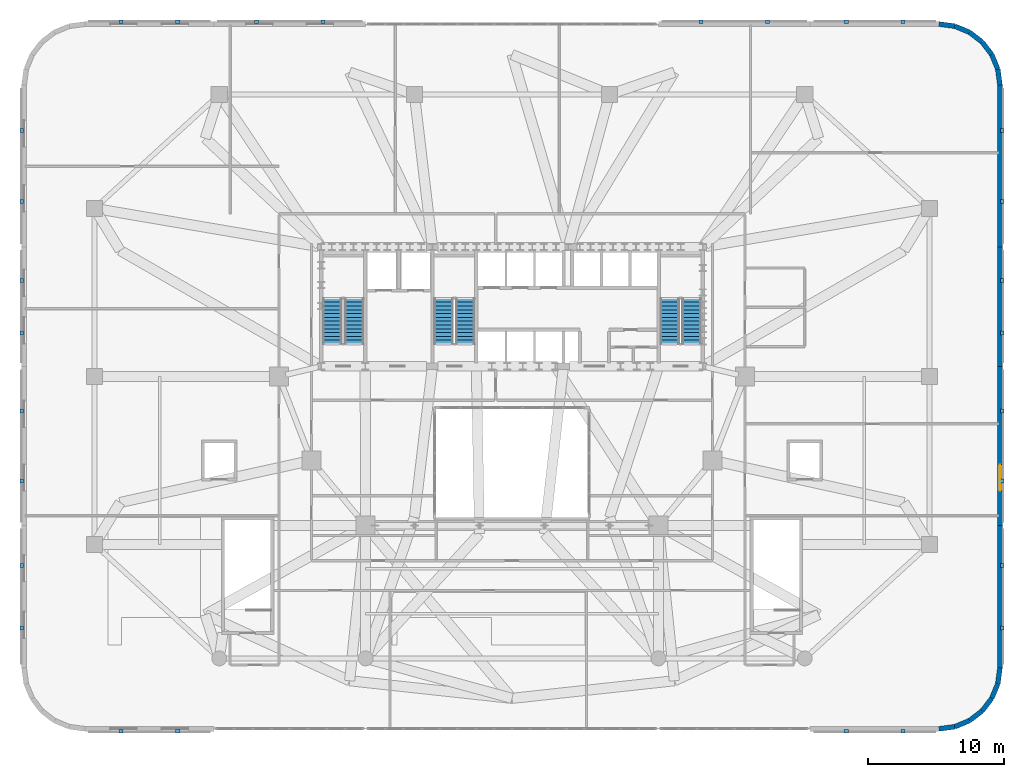
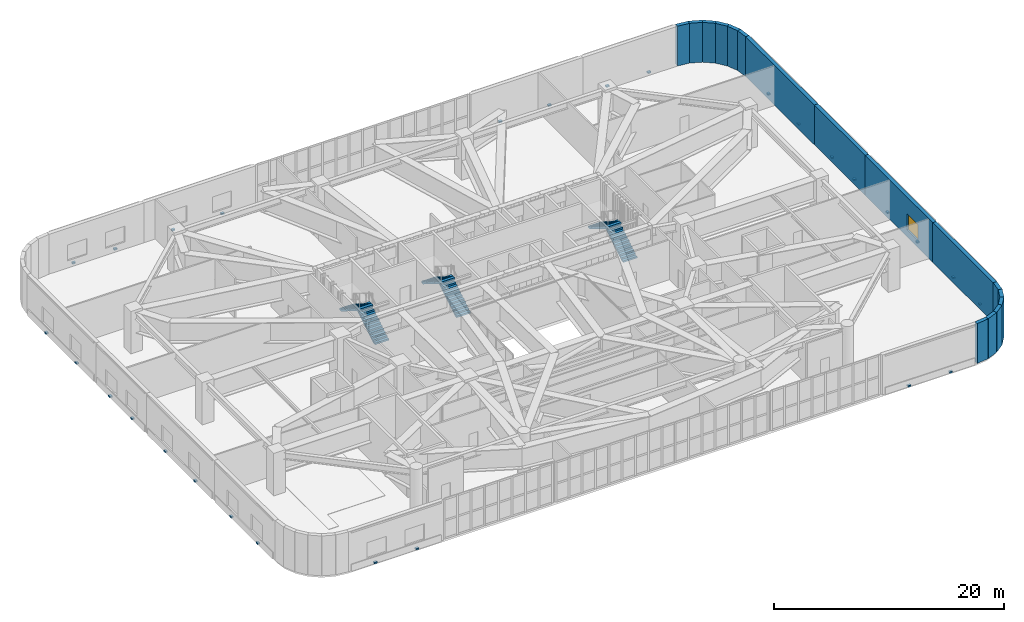
# One storey, part 19 of 26: 28 discrete accessories, 16 walls, 6 stair flights, 1 window, 1 opening, 3 elements without a shape of their own.
"""IFC4 building model written with IfcOpenShell, lengths in metres."""

import ifcopenshell
import ifcopenshell.guid

model = None  # the IFC model being written
_history = None  # IfcOwnerHistory: only IFC2X3 demands one
_inside = {}  # id of a spatial element -> (the spatial element, [elements in it])
_under = {}  # id of a project, library or spatial element -> (it, [spatial elements below it])
_declared = {}  # id of a project -> (the project, [libraries it declares])
_typed = {}  # id of a type object -> (the type object, [elements of that type])
_made_of = {}  # id of a material, layer set ... -> (it, [elements and type objects made of it])


def new_model(schema):
    """Start an empty IFC model of exactly this schema.

    Asked for "IFC4X3", IfcOpenShell would pick the latest addendum, in which some entities
    have other attributes; the version numbers below select the first issue.
    IFC2X3 requires an IfcOwnerHistory on every rooted entity: one is made here for all.
    """
    global model, _history
    if schema == "IFC4X3":
        model = ifcopenshell.file(schema_version=(4, 3, 0, 0))
    else:
        model = ifcopenshell.file(schema=schema)
    _inside.clear()
    _under.clear()
    _declared.clear()
    _typed.clear()
    _made_of.clear()
    _history = None
    if model.schema == "IFC2X3":
        org = make("IfcOrganization", Name="unknown")
        user = make(
            "IfcPersonAndOrganization",
            ThePerson=make("IfcPerson", FamilyName="unknown"),
            TheOrganization=org,
        )
        app = make(
            "IfcApplication",
            ApplicationDeveloper=org,
            Version="unknown",
            ApplicationFullName="unknown",
            ApplicationIdentifier="unknown",
        )
        _history = make(
            "IfcOwnerHistory",
            OwningUser=user,
            OwningApplication=app,
            ChangeAction="ADDED",
            CreationDate=0,
        )
    return model


def make(cls, **values):
    """One entity of the class cls with the attributes given. An attribute that is None is left unset."""
    return model.create_entity(
        cls, **{name: value for name, value in values.items() if value is not None}
    )


def rooted(cls, **values):
    """An entity with a GlobalId (a new one), such as an element, a storey or a relation."""
    return make(cls, GlobalId=ifcopenshell.guid.new(), OwnerHistory=_history, **values)


def si_unit(unit_type, name, prefix=None):
    """IfcSIUnit, for example si_unit("LENGTHUNIT", "METRE", prefix="MILLI")."""
    return make("IfcSIUnit", UnitType=unit_type, Prefix=prefix, Name=name)


def assignment(units):
    """IfcUnitAssignment: the units of a project."""
    return None if units is None else make("IfcUnitAssignment", Units=units)


def point(xyz):
    """IfcCartesianPoint."""
    return None if xyz is None else make("IfcCartesianPoint", Coordinates=xyz)


def direction(xyz):
    """IfcDirection."""
    return None if xyz is None else make("IfcDirection", DirectionRatios=xyz)


def frame(location, z_axis=None, x_axis=None):
    """IfcAxis2Placement3D, a coordinate frame: its origin and axes. An axis left out is left unset."""
    return make(
        "IfcAxis2Placement3D",
        Location=point(location),
        Axis=direction(z_axis),
        RefDirection=direction(x_axis),
    )


def frame_2d(location, x_axis=None):
    """IfcAxis2Placement2D, a coordinate frame in the plane: its origin and x axis."""
    return make(
        "IfcAxis2Placement2D", Location=point(location), RefDirection=direction(x_axis)
    )


def origin():
    """The frame at (0, 0, 0) with its axes left unset."""
    return frame((0.0, 0.0, 0.0))


def origin_2d():
    """The frame at (0, 0) in the plane with its x axis left unset."""
    return frame_2d((0.0, 0.0))


def place(relative_to, where):
    """IfcLocalPlacement: puts the frame where relative to a parent placement (None: the world)."""
    return make(
        "IfcLocalPlacement", PlacementRelTo=relative_to, RelativePlacement=where
    )


def context(
    kind, dimensions, precision=None, world=None, true_north=None, identifier=None
):
    """IfcGeometricRepresentationContext, for example the 3D "Model" context."""
    return make(
        "IfcGeometricRepresentationContext",
        ContextIdentifier=identifier,
        ContextType=kind,
        CoordinateSpaceDimension=dimensions,
        Precision=precision,
        WorldCoordinateSystem=world,
        TrueNorth=true_north,
    )


def subcontext(parent, identifier, kind, view, scale=None):
    """IfcGeometricRepresentationSubContext, for example "Body" below "Model"."""
    return make(
        "IfcGeometricRepresentationSubContext",
        ContextIdentifier=identifier,
        ContextType=kind,
        ParentContext=parent,
        TargetScale=scale,
        TargetView=view,
    )


def project(units=None, contexts=None):
    """IfcProject with its units and contexts."""
    return rooted(
        "IfcProject",
        Name="project",
        RepresentationContexts=contexts,
        UnitsInContext=assignment(units),
    )


def spatial(cls, under=None, at=None, **own):
    """A site, building, storey or space (cls), placed at a placement, below another one or the project."""
    s = rooted(cls, ObjectPlacement=at, **own)
    if under is not None:
        _under.setdefault(under.id(), (under, []))[1].append(s)
    return s


def polyline(points):
    """IfcPolyline through the points."""
    return make("IfcPolyline", Points=[point(p) for p in points])


def profile(cls, at=None, kind="AREA", **sizes):
    """A parametric profile (cls). Its sizes go by their IFC names, for example OverallWidth=200.0."""
    return make(cls, ProfileType=kind, Position=at, **sizes)


def rectangle(**sizes):
    """IfcRectangleProfileDef."""
    return profile("IfcRectangleProfileDef", **sizes)


def outline(outer, holes=None, kind="AREA"):
    """IfcArbitraryClosedProfileDef: a profile drawn as a closed curve; with holes, ...WithVoids."""
    if holes is None:
        return make("IfcArbitraryClosedProfileDef", ProfileType=kind, OuterCurve=outer)
    return make(
        "IfcArbitraryProfileDefWithVoids",
        ProfileType=kind,
        OuterCurve=outer,
        InnerCurves=holes,
    )


def extrude(swept, where, along, depth):
    """IfcExtrudedAreaSolid: the profile swept, set in the frame where, extruded along a direction by depth."""
    return make(
        "IfcExtrudedAreaSolid",
        SweptArea=swept,
        Position=where,
        ExtrudedDirection=direction(along),
        Depth=depth,
    )


def shape(context_of_items, identifier, shape_type, items):
    """IfcShapeRepresentation: the items that make up one representation, for example the "Body"."""
    return make(
        "IfcShapeRepresentation",
        ContextOfItems=context_of_items,
        RepresentationIdentifier=identifier,
        RepresentationType=shape_type,
        Items=items,
    )


def material(Name=None, Category=None):
    """IfcMaterial."""
    return make("IfcMaterial", Name=Name, Category=Category)


def layer(
    of_material, thickness, ventilated=None, Name=None, Category=None, Priority=None
):
    """IfcMaterialLayer: one layer of a wall or slab, of a material (None: an air gap)."""
    return make(
        "IfcMaterialLayer",
        Material=of_material,
        LayerThickness=thickness,
        IsVentilated=ventilated,
        Name=Name,
        Category=Category,
        Priority=Priority,
    )


def layer_set(layers, Name=None):
    """IfcMaterialLayerSet."""
    return make("IfcMaterialLayerSet", MaterialLayers=layers, LayerSetName=Name)


def made_of(thing, what):
    """Note that an element or type object is made of a material, layer set ...; save() writes the relation."""
    if what is not None:
        _made_of.setdefault(what.id(), (what, []))[1].append(thing)
    return thing


def type_object(cls, material=None, **own):
    """A type object (cls), such as IfcWallType, which elements share."""
    return made_of(rooted(cls, **own), material)


def element(
    cls,
    number,
    at=None,
    inside=None,
    cuts=None,
    type_object=None,
    material=None,
    context=None,
    identifier="Body",
    shape_type=None,
    held_by="IfcProductDefinitionShape",
    body=None,
    shapes=None,
    **own,
):
    """One element of the class cls, such as IfcWall. Its Tag is "e" and its number.

    at: its placement. inside: the storey or other place that contains it. cuts: it is an
    opening in that element (IfcRelVoidsElement). A single representation is given by context,
    identifier, shape_type and body (its items); several are given by shapes. held_by: the class
    of the entity that holds the representations. save() writes the other relations.
    """
    e = rooted(cls, Tag="e%d" % number, ObjectPlacement=at, **own)
    if body is not None:
        shapes = [shape(context, identifier, shape_type, body)]
    if shapes is not None:
        e.Representation = make(held_by, Representations=shapes)
    if inside is not None:
        _inside.setdefault(inside.id(), (inside, []))[1].append(e)
    if cuts is not None:
        rooted(
            "IfcRelVoidsElement", RelatingBuildingElement=cuts, RelatedOpeningElement=e
        )
    if type_object is not None:
        _typed.setdefault(type_object.id(), (type_object, []))[1].append(e)
    return made_of(e, material)


def fill(opening, filler):
    """IfcRelFillsElement: the door or window that sits in an opening."""
    return rooted(
        "IfcRelFillsElement",
        RelatingOpeningElement=opening,
        RelatedBuildingElement=filler,
    )


def aggregate(whole, parts):
    """IfcRelAggregates: a whole, such as a stair, and the parts it consists of."""
    return rooted("IfcRelAggregates", RelatingObject=whole, RelatedObjects=parts)


def save(model, path):
    """Write the relations noted so far, then the file.

    IfcRelAggregates (storeys below a building ...), IfcRelContainedInSpatialStructure (elements
    in a storey), IfcRelDefinesByType, IfcRelAssociatesMaterial and IfcRelDeclares: one each for
    every whole, place, type object, material and project.
    """
    for whole, parts in _under.values():
        aggregate(whole, parts)
    for where, things in _inside.values():
        rooted(
            "IfcRelContainedInSpatialStructure",
            RelatedElements=things,
            RelatingStructure=where,
        )
    for kind, things in _typed.values():
        rooted("IfcRelDefinesByType", RelatedObjects=things, RelatingType=kind)
    for what, things in _made_of.values():
        rooted("IfcRelAssociatesMaterial", RelatedObjects=things, RelatingMaterial=what)
    for by, libraries in _declared.values():
        rooted("IfcRelDeclares", RelatingContext=by, RelatedDefinitions=libraries)
    model.write(path)


model = new_model("IFC4")

# Units and contexts
model_context = context("Model", 3, precision=1e-05, world=origin(), true_north=direction((0.0, 1.0)))
body_context = subcontext(model_context, "Body", "Model", "MODEL_VIEW")
ifc_project = project(units=[si_unit("LENGTHUNIT", "METRE"), si_unit("AREAUNIT", "SQUARE_METRE"), si_unit("VOLUMEUNIT", "CUBIC_METRE"), si_unit("PLANEANGLEUNIT", "RADIAN"), si_unit("MASSUNIT", "GRAM", prefix="KILO")], contexts=[model_context])

# Site, building, storey
site_placement = place(None, origin())
site = spatial("IfcSite", under=ifc_project, at=site_placement, CompositionType="ELEMENT")
building_placement = place(site_placement, origin())
building = spatial("IfcBuilding", under=site, at=building_placement, Name="Haldorwick Loom Tower", CompositionType="ELEMENT")
storey_placement = place(building_placement, frame((0.0, 0.0, 19.5)))
storey = spatial("IfcBuildingStorey", under=building, at=storey_placement, Name="L04", CompositionType="ELEMENT", Elevation=19.5)

# Walls
ifc_material_1 = material(Name="Pressed Clay Face Brick and Insulated Masonry Backup Assembly", Category="masonry")
ifc_layer = layer(ifc_material_1, 0.360107421875, Name="Pressed Clay Face Brick and Insulated Masonry Backup Assembly", Category="masonry")
ifc_layer_set = layer_set([ifc_layer], Name="Pressed Clay Face Brick and Insulated Masonry Backup Assembly")
wall_type = type_object("IfcWallType", Name="ARC-WL-EXT360", PredefinedType="STANDARD", material=ifc_layer_set)
wall_1_placement = place(storey_placement, frame((67.5, 0.0, 0.0), z_axis=(0.0, 0.0, 1.0), x_axis=(0.991447928588, 0.130502892298, 0.0)))
element("IfcWall", 1, at=wall_1_placement, inside=storey, type_object=wall_type, Name="L04 Brick Pier and Spandrel Wall 1", PredefinedType="STANDARD", context=body_context, shape_type="SweptSolid", body=[
    extrude(rectangle(XDim=1.1748046875, YDim=0.360107421875, at=frame_2d((0.58740234375, 0.0))), origin(), (0.0, 0.0, 1.0), 4.219970703125),
])
wall_2_placement = place(storey_placement, frame((68.664794921875, 0.1533203125, 0.0), z_axis=(0.0, 0.0, 1.0), x_axis=(0.923892706888, 0.382651625058, 0.0)))
element("IfcWall", 2, at=wall_2_placement, inside=storey, type_object=wall_type, Name="L04 Brick Pier and Spandrel Wall 2", PredefinedType="STANDARD", context=body_context, shape_type="SweptSolid", body=[
    extrude(rectangle(XDim=1.174560546875, YDim=0.360107421875, at=frame_2d((0.58740234375, 0.0))), origin(), (0.0, 0.0, 1.0), 4.219970703125),
])
for number, where, z_axis, x_axis, name in (
    (3, (69.75, 0.602783203125, 0.0), (0.0, 0.0, 1.0), (0.79324162823, 0.60890698735, 0.0), "L04 Brick Pier and Spandrel Wall 3"),
    (4, (70.681884765625, 1.318115234375, 0.0), (0.0, 0.0, 1.0), (0.60890698735, 0.79324162823, 0.0), "L04 Brick Pier and Spandrel Wall 4"),
):
    element("IfcWall", number, at=place(storey_placement, frame(where, z_axis=z_axis, x_axis=x_axis)), inside=storey, type_object=wall_type, Name=name, PredefinedType="STANDARD", context=body_context, shape_type="SweptSolid", body=[
        extrude(rectangle(XDim=1.1748046875, YDim=0.360107421875, at=frame_2d((0.58740234375, 0.0))), origin(), (0.0, 0.0, 1.0), 4.219970703125),
    ])
wall_3_placement = place(storey_placement, frame((71.397216796875, 2.25, 0.0), z_axis=(0.0, 0.0, 1.0), x_axis=(0.382651625058, 0.923892706888, 0.0)))
element("IfcWall", 5, at=wall_3_placement, inside=storey, type_object=wall_type, Name="L04 Brick Pier and Spandrel Wall 5", PredefinedType="STANDARD", context=body_context, shape_type="SweptSolid", body=[
    extrude(rectangle(XDim=1.174560546875, YDim=0.360107421875, at=frame_2d((0.58740234375, 0.0))), origin(), (0.0, 0.0, 1.0), 4.219970703125),
])
wall_4_placement = place(storey_placement, frame((71.8466796875, 3.335205078125, 0.0), z_axis=(0.0, 0.0, 1.0), x_axis=(0.130502892298, 0.991447928588, 0.0)))
element("IfcWall", 6, at=wall_4_placement, inside=storey, type_object=wall_type, Name="L04 Brick Pier and Spandrel Wall 6", PredefinedType="STANDARD", context=body_context, shape_type="SweptSolid", body=[
    extrude(rectangle(XDim=1.1748046875, YDim=0.360107421875, at=frame_2d((0.58740234375, 0.0))), origin(), (0.0, 0.0, 1.0), 4.219970703125),
])
wall_5_placement = place(storey_placement, frame((72.0, 4.5, 0.0), z_axis=(0.0, 0.0, 1.0), x_axis=(0.0, 1.0, 0.0)))
element("IfcWall", 7, at=wall_5_placement, inside=storey, type_object=wall_type, Name="L04 Brick Pier and Spandrel Wall 7", PredefinedType="STANDARD", context=body_context, shape_type="SweptSolid", body=[
    extrude(rectangle(XDim=10.5, YDim=0.360107421875, at=frame_2d((5.25, 0.0))), origin(), (0.0, 0.0, 1.0), 4.219970703125),
])

# Wall, opening, window
wall_6_placement = place(storey_placement, frame((72.0, 15.0, 0.0), z_axis=(0.0, 0.0, 1.0), x_axis=(0.0, 1.0, 0.0)))
wall_6 = element("IfcWall", 8, at=wall_6_placement, inside=storey, type_object=wall_type, Name="L04 Brick Pier and Spandrel Wall 8", PredefinedType="STANDARD", context=body_context, shape_type="SweptSolid", body=[
    extrude(rectangle(XDim=11.75, YDim=0.360107421875, at=frame_2d((5.875, 0.0))), origin(), (0.0, 0.0, 1.0), 4.219970703125),
])
opening_placement = place(wall_6_placement, frame((2.550048828125, 0.0, 0.75)))
opening = element("IfcOpeningElement", 9, at=opening_placement, cuts=wall_6, Name="Opening W-04B", PredefinedType="OPENING", context=body_context, shape_type="SweptSolid", body=[
    extrude(rectangle(XDim=1.949951171875, YDim=1.679931640625, at=frame_2d((0.97509765625, 0.83984375))), frame((0.0, 0.18994140625, 0.0), z_axis=(0.0, -1.0, 0.0), x_axis=(1.0, 0.0, 0.0)), (0.0, 0.0, 1.0), 0.380126953125),
])
ifc_material_2 = material(Name="Triple-Glazed Low-E Argon Insulated Glazing Unit", Category="glass")
window_type = type_object("IfcWindowType", Name="ARC-WIN-W195", PartitioningType="SINGLE_PANEL", PredefinedType="WINDOW", material=ifc_material_2)
window_placement = place(opening_placement, origin())
window = element("IfcWindow", 10, at=window_placement, inside=storey, type_object=window_type, Name="L04 Deep-Set Zone 7A Window 8", OverallHeight=1.679931640625, OverallWidth=1.949951171875, PartitioningType="SINGLE_PANEL", PredefinedType="WINDOW", context=body_context, shape_type="SweptSolid", body=[
    extrude(rectangle(XDim=1.949951171875, YDim=1.679931640625, at=frame_2d((0.97509765625, 0.83984375))), frame((0.0, 0.030029296875, 0.0), z_axis=(0.0, -1.0, 0.0), x_axis=(1.0, 0.0, 0.0)), (0.0, 0.0, 1.0), 0.06005859375),
])
fill(opening, window)

# Walls
wall_7_placement = place(storey_placement, frame((72.0, 26.75, 0.0), z_axis=(0.0, 0.0, 1.0), x_axis=(0.0, 1.0, 0.0)))
element("IfcWall", 11, at=wall_7_placement, inside=storey, type_object=wall_type, Name="L04 Brick Pier and Spandrel Wall 9", PredefinedType="STANDARD", context=body_context, shape_type="SweptSolid", body=[
    extrude(rectangle(XDim=8.800048828125, YDim=0.360107421875, at=frame_2d((4.39990234375, 0.0))), origin(), (0.0, 0.0, 1.0), 4.219970703125),
])
wall_8_placement = place(storey_placement, frame((72.0, 35.550048828125, 0.0), z_axis=(0.0, 0.0, 1.0), x_axis=(0.0, 1.0, 0.0)))
element("IfcWall", 12, at=wall_8_placement, inside=storey, type_object=wall_type, Name="L04 Brick Pier and Spandrel Wall 10", PredefinedType="STANDARD", context=body_context, shape_type="SweptSolid", body=[
    extrude(rectangle(XDim=11.949951171875, YDim=0.360107421875, at=frame_2d((5.97509765625, 0.0))), origin(), (0.0, 0.0, 1.0), 4.219970703125),
])
wall_9_placement = place(storey_placement, frame((72.0, 47.5, 0.0), z_axis=(0.0, 0.0, 1.0), x_axis=(-0.130502892298, 0.991447928588, 0.0)))
element("IfcWall", 13, at=wall_9_placement, inside=storey, type_object=wall_type, Name="L04 Brick Pier and Spandrel Wall 11", PredefinedType="STANDARD", context=body_context, shape_type="SweptSolid", body=[
    extrude(rectangle(XDim=1.1748046875, YDim=0.360107421875, at=frame_2d((0.58740234375, 0.0))), origin(), (0.0, 0.0, 1.0), 4.219970703125),
])
wall_10_placement = place(storey_placement, frame((71.8466796875, 48.664794921875, 0.0), z_axis=(0.0, 0.0, 1.0), x_axis=(-0.382651625058, 0.923892706888, 0.0)))
element("IfcWall", 14, at=wall_10_placement, inside=storey, type_object=wall_type, Name="L04 Brick Pier and Spandrel Wall 12", PredefinedType="STANDARD", context=body_context, shape_type="SweptSolid", body=[
    extrude(rectangle(XDim=1.174560546875, YDim=0.360107421875, at=frame_2d((0.58740234375, 0.0))), origin(), (0.0, 0.0, 1.0), 4.219970703125),
])
for number, where, z_axis, x_axis, name in (
    (15, (71.397216796875, 49.75, 0.0), (0.0, 0.0, 1.0), (-0.60890698735, 0.79324162823, 0.0), "L04 Brick Pier and Spandrel Wall 13"),
    (16, (70.681884765625, 50.681884765625, 0.0), (0.0, 0.0, 1.0), (-0.79324162823, 0.60890698735, 0.0), "L04 Brick Pier and Spandrel Wall 14"),
):
    element("IfcWall", number, at=place(storey_placement, frame(where, z_axis=z_axis, x_axis=x_axis)), inside=storey, type_object=wall_type, Name=name, PredefinedType="STANDARD", context=body_context, shape_type="SweptSolid", body=[
        extrude(rectangle(XDim=1.1748046875, YDim=0.360107421875, at=frame_2d((0.58740234375, 0.0))), origin(), (0.0, 0.0, 1.0), 4.219970703125),
    ])
wall_11_placement = place(storey_placement, frame((69.75, 51.397216796875, 0.0), z_axis=(0.0, 0.0, 1.0), x_axis=(-0.923892706888, 0.382651625058, 0.0)))
element("IfcWall", 17, at=wall_11_placement, inside=storey, type_object=wall_type, Name="L04 Brick Pier and Spandrel Wall 15", PredefinedType="STANDARD", context=body_context, shape_type="SweptSolid", body=[
    extrude(rectangle(XDim=1.174560546875, YDim=0.360107421875, at=frame_2d((0.58740234375, 0.0))), origin(), (0.0, 0.0, 1.0), 4.219970703125),
])
wall_12_placement = place(storey_placement, frame((68.664794921875, 51.8466796875, 0.0), z_axis=(0.0, 0.0, 1.0), x_axis=(-0.991447928588, 0.130502892298, 0.0)))
element("IfcWall", 18, at=wall_12_placement, inside=storey, type_object=wall_type, Name="L04 Brick Pier and Spandrel Wall 16", PredefinedType="STANDARD", context=body_context, shape_type="SweptSolid", body=[
    extrude(rectangle(XDim=1.1748046875, YDim=0.360107421875, at=frame_2d((0.58740234375, 0.0))), origin(), (0.0, 0.0, 1.0), 4.219970703125),
])

# Stair, stair flights
ifc_material_3 = material(Name="Concrete C40 (40 MPa)", Category="concrete")
stair_type = type_object("IfcStairType", Name="STR-STR-CORE", PredefinedType="HALF_TURN_STAIR", material=ifc_material_3)
stair_1_placement = place(storey_placement, origin())
stair_1 = element("IfcStair", 19, at=stair_1_placement, inside=storey, type_object=stair_type, Name="L04 Exit Stair ST-01", PredefinedType="HALF_TURN_STAIR")
stair_flight_type = type_object("IfcStairFlightType", Name="STR-STF-1250", PredefinedType="STRAIGHT", material=ifc_material_3)
stair_flight_1_placement = place(storey_placement, frame((24.35009765625, 28.39990234375, 0.0), z_axis=(0.0, 0.0, 1.0), x_axis=(0.0, 1.0, 0.0)))
stair_flight_1 = element("IfcStairFlight", 20, at=stair_flight_1_placement, type_object=stair_flight_type, Name="ST-01 flight 1", NumberOfRisers=13, NumberOfTreads=12, PredefinedType="STRAIGHT", RiserHeight=0.173076923, TreadLength=0.28, context=body_context, shape_type="SweptSolid", body=[
    extrude(outline(polyline([(0.0, 0.0), (0.0, 0.173095703125), (0.280029296875, 0.173095703125), (0.280029296875, 0.34619140625), (0.56005859375, 0.34619140625), (0.56005859375, 0.519287109375), (0.840087890625, 0.519287109375), (0.840087890625, 0.6923828125), (1.1201171875, 0.6923828125), (1.1201171875, 0.865478515625), (1.39990234375, 0.865478515625), (1.39990234375, 1.03857421875), (1.679931640625, 1.03857421875), (1.679931640625, 1.21142578125), (1.9599609375, 1.21142578125), (1.9599609375, 1.384521484375), (2.239990234375, 1.384521484375), (2.239990234375, 1.5576171875), (2.52001953125, 1.5576171875), (2.52001953125, 1.730712890625), (2.800048828125, 1.730712890625), (2.800048828125, 1.90380859375), (3.080078125, 1.90380859375), (3.080078125, 2.076904296875), (3.360107421875, 2.076904296875), (3.360107421875, 2.25), (3.360107421875, 1.900634765625), (0.28515625, 0.0), (0.0, 0.0)])), frame((0.0, 0.699951171875, 0.0), z_axis=(0.0, -1.0, 0.0), x_axis=(1.0, 0.0, 0.0)), (0.0, 0.0, 1.0), 1.39990234375),
])
stair_flight_2_placement = place(storey_placement, frame((22.75, 31.760009765625, 2.25), z_axis=(0.0, 0.0, 1.0), x_axis=(0.0, -1.0, 0.0)))
stair_flight_2 = element("IfcStairFlight", 21, at=stair_flight_2_placement, type_object=stair_flight_type, Name="ST-01 flight 2", NumberOfRisers=13, NumberOfTreads=12, PredefinedType="STRAIGHT", RiserHeight=0.173076923, TreadLength=0.28, context=body_context, shape_type="SweptSolid", body=[
    extrude(outline(polyline([(0.0, 0.0), (0.0, 0.173095703125), (0.280029296875, 0.173095703125), (0.280029296875, 0.34619140625), (0.56005859375, 0.34619140625), (0.56005859375, 0.519287109375), (0.840087890625, 0.519287109375), (0.840087890625, 0.6923828125), (1.1201171875, 0.6923828125), (1.1201171875, 0.865478515625), (1.39990234375, 0.865478515625), (1.39990234375, 1.03857421875), (1.679931640625, 1.03857421875), (1.679931640625, 1.21142578125), (1.9599609375, 1.21142578125), (1.9599609375, 1.384521484375), (2.239990234375, 1.384521484375), (2.239990234375, 1.5576171875), (2.52001953125, 1.5576171875), (2.52001953125, 1.730712890625), (2.800048828125, 1.730712890625), (2.800048828125, 1.90380859375), (3.080078125, 1.90380859375), (3.080078125, 2.076904296875), (3.360107421875, 2.076904296875), (3.360107421875, 2.25), (3.360107421875, 1.900634765625), (0.28515625, 0.0), (0.0, 0.0)])), frame((0.0, 0.699951171875, 0.0), z_axis=(0.0, -1.0, 0.0), x_axis=(1.0, 0.0, 0.0)), (0.0, 0.0, 1.0), 1.39990234375),
])
aggregate(stair_1, [stair_flight_1, stair_flight_2])

stair_2_placement = place(storey_placement, origin())
stair_2 = element("IfcStair", 22, at=stair_2_placement, inside=storey, type_object=stair_type, Name="L04 Exit Stair ST-02", PredefinedType="HALF_TURN_STAIR")
stair_flight_3_placement = place(storey_placement, frame((49.25, 28.39990234375, 0.0), z_axis=(0.0, 0.0, 1.0), x_axis=(0.0, 1.0, 0.0)))
stair_flight_3 = element("IfcStairFlight", 23, at=stair_flight_3_placement, type_object=stair_flight_type, Name="ST-02 flight 1", NumberOfRisers=13, NumberOfTreads=12, PredefinedType="STRAIGHT", RiserHeight=0.173076923, TreadLength=0.28, context=body_context, shape_type="SweptSolid", body=[
    extrude(outline(polyline([(0.0, 0.0), (0.0, 0.173095703125), (0.280029296875, 0.173095703125), (0.280029296875, 0.34619140625), (0.56005859375, 0.34619140625), (0.56005859375, 0.519287109375), (0.840087890625, 0.519287109375), (0.840087890625, 0.6923828125), (1.1201171875, 0.6923828125), (1.1201171875, 0.865478515625), (1.39990234375, 0.865478515625), (1.39990234375, 1.03857421875), (1.679931640625, 1.03857421875), (1.679931640625, 1.21142578125), (1.9599609375, 1.21142578125), (1.9599609375, 1.384521484375), (2.239990234375, 1.384521484375), (2.239990234375, 1.5576171875), (2.52001953125, 1.5576171875), (2.52001953125, 1.730712890625), (2.800048828125, 1.730712890625), (2.800048828125, 1.90380859375), (3.080078125, 1.90380859375), (3.080078125, 2.076904296875), (3.360107421875, 2.076904296875), (3.360107421875, 2.25), (3.360107421875, 1.900634765625), (0.28515625, 0.0), (0.0, 0.0)])), frame((0.0, 0.699951171875, 0.0), z_axis=(0.0, -1.0, 0.0), x_axis=(1.0, 0.0, 0.0)), (0.0, 0.0, 1.0), 1.39990234375),
])
stair_flight_4_placement = place(storey_placement, frame((47.64990234375, 31.760009765625, 2.25), z_axis=(0.0, 0.0, 1.0), x_axis=(0.0, -1.0, 0.0)))
stair_flight_4 = element("IfcStairFlight", 24, at=stair_flight_4_placement, type_object=stair_flight_type, Name="ST-02 flight 2", NumberOfRisers=13, NumberOfTreads=12, PredefinedType="STRAIGHT", RiserHeight=0.173076923, TreadLength=0.28, context=body_context, shape_type="SweptSolid", body=[
    extrude(outline(polyline([(0.0, 0.0), (0.0, 0.173095703125), (0.280029296875, 0.173095703125), (0.280029296875, 0.34619140625), (0.56005859375, 0.34619140625), (0.56005859375, 0.519287109375), (0.840087890625, 0.519287109375), (0.840087890625, 0.6923828125), (1.1201171875, 0.6923828125), (1.1201171875, 0.865478515625), (1.39990234375, 0.865478515625), (1.39990234375, 1.03857421875), (1.679931640625, 1.03857421875), (1.679931640625, 1.21142578125), (1.9599609375, 1.21142578125), (1.9599609375, 1.384521484375), (2.239990234375, 1.384521484375), (2.239990234375, 1.5576171875), (2.52001953125, 1.5576171875), (2.52001953125, 1.730712890625), (2.800048828125, 1.730712890625), (2.800048828125, 1.90380859375), (3.080078125, 1.90380859375), (3.080078125, 2.076904296875), (3.360107421875, 2.076904296875), (3.360107421875, 2.25), (3.360107421875, 1.900634765625), (0.28515625, 0.0), (0.0, 0.0)])), frame((0.0, 0.699951171875, 0.0), z_axis=(0.0, -1.0, 0.0), x_axis=(1.0, 0.0, 0.0)), (0.0, 0.0, 1.0), 1.39990234375),
])
aggregate(stair_2, [stair_flight_3, stair_flight_4])

stair_3_placement = place(storey_placement, origin())
stair_3 = element("IfcStair", 25, at=stair_3_placement, inside=storey, type_object=stair_type, Name="L04 Exit Stair ST-03", PredefinedType="HALF_TURN_STAIR")
stair_flight_5_placement = place(storey_placement, frame((32.550048828125, 28.39990234375, 0.0), z_axis=(0.0, 0.0, 1.0), x_axis=(0.0, 1.0, 0.0)))
stair_flight_5 = element("IfcStairFlight", 26, at=stair_flight_5_placement, type_object=stair_flight_type, Name="ST-03 flight 1", NumberOfRisers=13, NumberOfTreads=12, PredefinedType="STRAIGHT", RiserHeight=0.173076923, TreadLength=0.28, context=body_context, shape_type="SweptSolid", body=[
    extrude(outline(polyline([(0.0, 0.0), (0.0, 0.173095703125), (0.280029296875, 0.173095703125), (0.280029296875, 0.34619140625), (0.56005859375, 0.34619140625), (0.56005859375, 0.519287109375), (0.840087890625, 0.519287109375), (0.840087890625, 0.6923828125), (1.1201171875, 0.6923828125), (1.1201171875, 0.865478515625), (1.39990234375, 0.865478515625), (1.39990234375, 1.03857421875), (1.679931640625, 1.03857421875), (1.679931640625, 1.21142578125), (1.9599609375, 1.21142578125), (1.9599609375, 1.384521484375), (2.239990234375, 1.384521484375), (2.239990234375, 1.5576171875), (2.52001953125, 1.5576171875), (2.52001953125, 1.730712890625), (2.800048828125, 1.730712890625), (2.800048828125, 1.90380859375), (3.080078125, 1.90380859375), (3.080078125, 2.076904296875), (3.360107421875, 2.076904296875), (3.360107421875, 2.25), (3.360107421875, 1.900634765625), (0.28515625, 0.0), (0.0, 0.0)])), frame((0.0, 0.699951171875, 0.0), z_axis=(0.0, -1.0, 0.0), x_axis=(1.0, 0.0, 0.0)), (0.0, 0.0, 1.0), 1.39990234375),
])
stair_flight_6_placement = place(storey_placement, frame((30.949951171875, 31.760009765625, 2.25), z_axis=(0.0, 0.0, 1.0), x_axis=(0.0, -1.0, 0.0)))
stair_flight_6 = element("IfcStairFlight", 27, at=stair_flight_6_placement, type_object=stair_flight_type, Name="ST-03 flight 2", NumberOfRisers=13, NumberOfTreads=12, PredefinedType="STRAIGHT", RiserHeight=0.173076923, TreadLength=0.28, context=body_context, shape_type="SweptSolid", body=[
    extrude(outline(polyline([(0.0, 0.0), (0.0, 0.173095703125), (0.280029296875, 0.173095703125), (0.280029296875, 0.34619140625), (0.56005859375, 0.34619140625), (0.56005859375, 0.519287109375), (0.840087890625, 0.519287109375), (0.840087890625, 0.6923828125), (1.1201171875, 0.6923828125), (1.1201171875, 0.865478515625), (1.39990234375, 0.865478515625), (1.39990234375, 1.03857421875), (1.679931640625, 1.03857421875), (1.679931640625, 1.21142578125), (1.9599609375, 1.21142578125), (1.9599609375, 1.384521484375), (2.239990234375, 1.384521484375), (2.239990234375, 1.5576171875), (2.52001953125, 1.5576171875), (2.52001953125, 1.730712890625), (2.800048828125, 1.730712890625), (2.800048828125, 1.90380859375), (3.080078125, 1.90380859375), (3.080078125, 2.076904296875), (3.360107421875, 2.076904296875), (3.360107421875, 2.25), (3.360107421875, 1.900634765625), (0.28515625, 0.0), (0.0, 0.0)])), frame((0.0, 0.699951171875, 0.0), z_axis=(0.0, -1.0, 0.0), x_axis=(1.0, 0.0, 0.0)), (0.0, 0.0, 1.0), 1.39990234375),
])
aggregate(stair_3, [stair_flight_5, stair_flight_6])

# Discrete accessories
ifc_material_4 = material(Name="Galvanized Steel CSA G40.21 350W", Category="steel")
discrete_accessory_type = type_object("IfcDiscreteAccessoryType", Name="ARC-ACC-BRACKET", PredefinedType="BRACKET", material=ifc_material_4)
for number, where, z_axis, x_axis, name in (
    (28, (72.179931640625, 7.43994140625, 0.0), (0.0, 0.0, 1.0), (0.0, 1.0, 0.0), "L04 Stainless Masonry Shelf Angle Bracket 7L"),
    (29, (72.179931640625, 12.06005859375, 0.0), (0.0, 0.0, 1.0), (0.0, 1.0, 0.0), "L04 Stainless Masonry Shelf Angle Bracket 7R"),
    (30, (72.179931640625, 18.2900390625, 0.0), (0.0, 0.0, 1.0), (0.0, 1.0, 0.0), "L04 Stainless Masonry Shelf Angle Bracket 8L"),
    (31, (72.179931640625, 23.4599609375, 0.0), (0.0, 0.0, 1.0), (0.0, 1.0, 0.0), "L04 Stainless Masonry Shelf Angle Bracket 8R"),
    (32, (72.179931640625, 29.214111328125, 0.0), (0.0, 0.0, 1.0), (0.0, 1.0, 0.0), "L04 Stainless Masonry Shelf Angle Bracket 9L"),
    (33, (72.179931640625, 33.0859375, 0.0), (0.0, 0.0, 1.0), (0.0, 1.0, 0.0), "L04 Stainless Masonry Shelf Angle Bracket 9R"),
    (34, (72.179931640625, 38.89599609375, 0.0), (0.0, 0.0, 1.0), (0.0, 1.0, 0.0), "L04 Stainless Masonry Shelf Angle Bracket 10L"),
    (35, (72.179931640625, 44.154052734375, 0.0), (0.0, 0.0, 1.0), (0.0, 1.0, 0.0), "L04 Stainless Masonry Shelf Angle Bracket 10R"),
    (36, (64.840087890625, 52.179931640625, 0.0), (0.0, 0.0, 1.0), (-1.0, 0.0, 0.0), "L04 Stainless Masonry Shelf Angle Bracket 17L"),
    (37, (60.659912109375, 52.179931640625, 0.0), (0.0, 0.0, 1.0), (-1.0, 0.0, 0.0), "L04 Stainless Masonry Shelf Angle Bracket 17R"),
    (38, (54.864013671875, 52.179931640625, 0.0), (0.0, 0.0, 1.0), (-1.0, 0.0, 0.0), "L04 Stainless Masonry Shelf Angle Bracket 18L"),
    (39, (49.93603515625, 52.179931640625, 0.0), (0.0, 0.0, 1.0), (-1.0, 0.0, 0.0), "L04 Stainless Masonry Shelf Angle Bracket 18R"),
    (40, (22.06396484375, 52.179931640625, 0.0), (0.0, 0.0, 1.0), (-1.0, 0.0, 0.0), "L04 Stainless Masonry Shelf Angle Bracket 20L"),
    (41, (17.135986328125, 52.179931640625, 0.0), (0.0, 0.0, 1.0), (-1.0, 0.0, 0.0), "L04 Stainless Masonry Shelf Angle Bracket 20R"),
    (42, (11.340087890625, 52.179931640625, 0.0), (0.0, 0.0, 1.0), (-1.0, 0.0, 0.0), "L04 Stainless Masonry Shelf Angle Bracket 21L"),
    (43, (7.159912109375, 52.179931640625, 0.0), (0.0, 0.0, 1.0), (-1.0, 0.0, 0.0), "L04 Stainless Masonry Shelf Angle Bracket 21R"),
    (44, (-0.179931640625, 44.154052734375, 0.0), (0.0, 0.0, 1.0), (0.0, -1.0, 0.0), "L04 Stainless Masonry Shelf Angle Bracket 28L"),
    (45, (-0.179931640625, 38.89599609375, 0.0), (0.0, 0.0, 1.0), (0.0, -1.0, 0.0), "L04 Stainless Masonry Shelf Angle Bracket 28R"),
    (46, (-0.179931640625, 33.0859375, 0.0), (0.0, 0.0, 1.0), (0.0, -1.0, 0.0), "L04 Stainless Masonry Shelf Angle Bracket 29L"),
    (47, (-0.179931640625, 29.214111328125, 0.0), (0.0, 0.0, 1.0), (0.0, -1.0, 0.0), "L04 Stainless Masonry Shelf Angle Bracket 29R"),
    (48, (-0.179931640625, 23.4599609375, 0.0), (0.0, 0.0, 1.0), (0.0, -1.0, 0.0), "L04 Stainless Masonry Shelf Angle Bracket 30L"),
    (49, (-0.179931640625, 18.2900390625, 0.0), (0.0, 0.0, 1.0), (0.0, -1.0, 0.0), "L04 Stainless Masonry Shelf Angle Bracket 30R"),
    (50, (-0.179931640625, 12.06005859375, 0.0), (0.0, 0.0, 1.0), (0.0, -1.0, 0.0), "L04 Stainless Masonry Shelf Angle Bracket 31L"),
    (51, (-0.179931640625, 7.43994140625, 0.0), (0.0, 0.0, 1.0), (0.0, -1.0, 0.0), "L04 Stainless Masonry Shelf Angle Bracket 31R"),
    (52, (7.159912109375, -0.179931640625, 0.0), (0.0, 0.0, 1.0), (1.0, 0.0, 0.0), "L04 Stainless Masonry Shelf Angle Bracket 38L"),
    (53, (11.340087890625, -0.179931640625, 0.0), (0.0, 0.0, 1.0), (1.0, 0.0, 0.0), "L04 Stainless Masonry Shelf Angle Bracket 38R"),
    (54, (60.659912109375, -0.179931640625, 0.0), (0.0, 0.0, 1.0), (1.0, 0.0, 0.0), "L04 Stainless Masonry Shelf Angle Bracket 42L"),
    (55, (64.840087890625, -0.179931640625, 0.0), (0.0, 0.0, 1.0), (1.0, 0.0, 0.0), "L04 Stainless Masonry Shelf Angle Bracket 42R"),
):
    element("IfcDiscreteAccessory", number, at=place(storey_placement, frame(where, z_axis=z_axis, x_axis=x_axis)), inside=storey, type_object=discrete_accessory_type, Name=name, PredefinedType="BRACKET", context=body_context, shape_type="SweptSolid", body=[
        extrude(rectangle(XDim=0.300048828125, YDim=0.239990234375, at=origin_2d()), origin(), (0.0, 0.0, 1.0), 0.159912109375),
    ])

save(model, "model.ifc")
